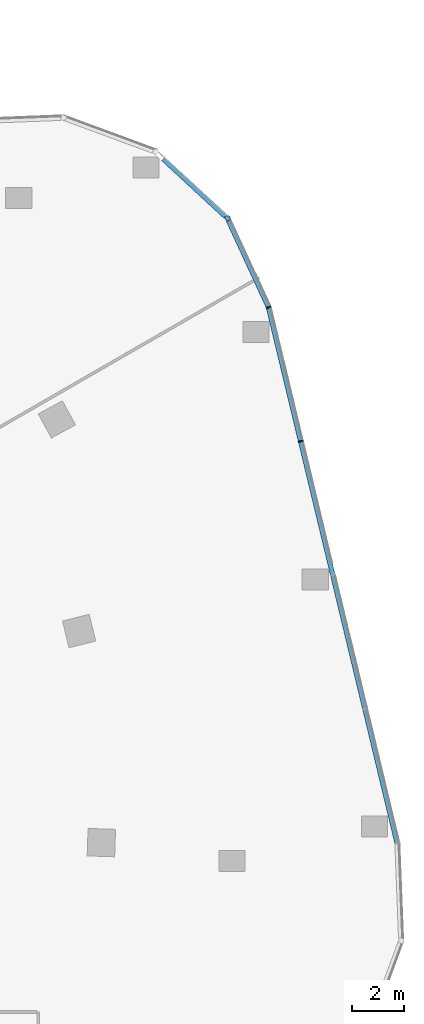
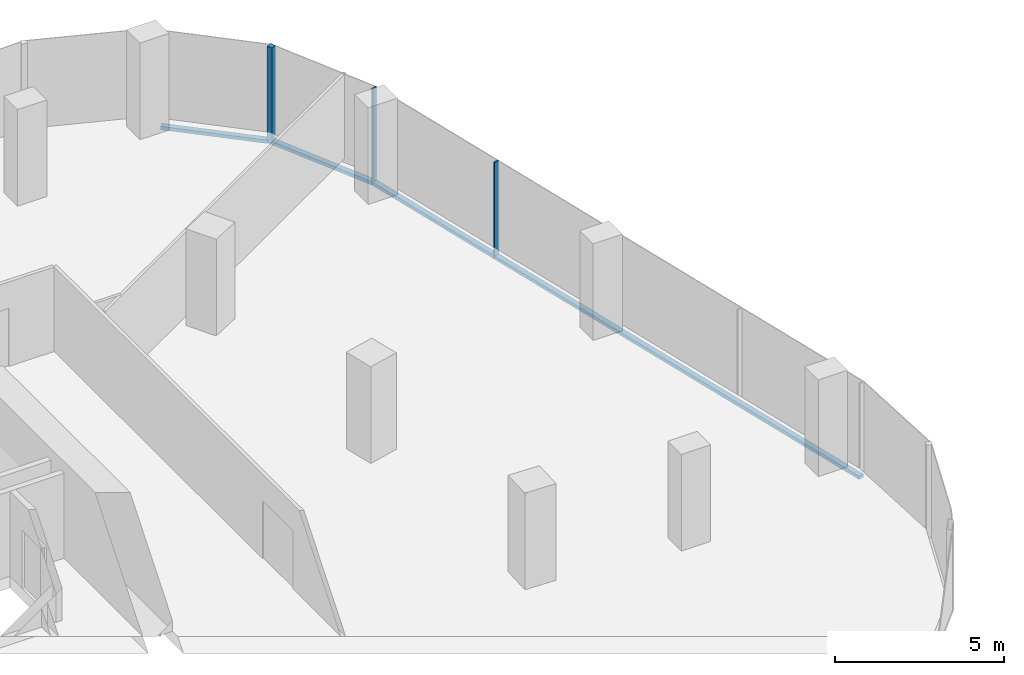
# One storey, part 11 of 25: 6 members, 3 elements without a shape of their own.
"""IFC4 building model written with IfcOpenShell, lengths in metres."""

from ifc_helpers import new_model, si_unit, direction, frame, origin, origin_2d, place, context, subcontext, project, spatial, rectangle, extrude, material, material_profile, profile_set, type_object, element, aggregate, save


model = new_model("IFC4")

# Units and contexts
model_context = context("Model", 3, precision=1e-05, world=origin(), true_north=direction((0.0, 1.0)))
body_context = subcontext(model_context, "Body", "Model", "MODEL_VIEW")
ifc_project = project(units=[si_unit("LENGTHUNIT", "METRE"), si_unit("AREAUNIT", "SQUARE_METRE"), si_unit("VOLUMEUNIT", "CUBIC_METRE"), si_unit("PLANEANGLEUNIT", "RADIAN"), si_unit("MASSUNIT", "GRAM", prefix="KILO")], contexts=[model_context])

# Site, building, storey
site_placement = place(None, origin())
site = spatial("IfcSite", under=ifc_project, at=site_placement, CompositionType="ELEMENT")
building_placement = place(site_placement, origin())
building = spatial("IfcBuilding", under=site, at=building_placement, Name="Orlundy Tower", CompositionType="ELEMENT")
storey_placement = place(building_placement, frame((0.0, 0.0, 217.5)))
storey = spatial("IfcBuildingStorey", under=building, at=storey_placement, Name="L57", CompositionType="ELEMENT", Elevation=217.5)

# Curtain wall, member
ifc_material_1 = material(Name="Aluminium bronze anodised", Category="aluminium")
curtain_wall_type = type_object("IfcCurtainWallType", Name="CW1 wall", PredefinedType="NOTDEFINED", material=ifc_material_1)
curtain_wall_1_placement = place(storey_placement, origin())
curtain_wall_1 = element("IfcCurtainWall", 1, at=curtain_wall_1_placement, inside=storey, type_object=curtain_wall_type, Name="CW1 run 010", PredefinedType="NOTDEFINED")
ifc_material_2 = material(Name="Aluminium bronze anodised", Category="aluminium")
ifc_material_profile_1 = material_profile(ifc_material_2, rectangle(XDim=0.179931640625, YDim=0.179931640625, at=origin_2d()), Name="CW1 corner post 180x180")
ifc_profile_set_1 = profile_set([ifc_material_profile_1], Name="Aluminium bronze anodised")
member_type_1 = type_object("IfcMemberType", Name="CW1 corner post 180x180", PredefinedType="MULLION", material=ifc_profile_set_1)
member_1_placement = place(storey_placement, frame((34.480224609375, 22.850830078125, -0.419921875), z_axis=(0.0, 0.0, 1.0), x_axis=(0.908219817192, 0.418493445182, 0.0)))
member_1 = element("IfcMember", 2, at=member_1_placement, type_object=member_type_1, Name="CW1 mullion 27", PredefinedType="MULLION", context=body_context, shape_type="SweptSolid", body=[
    extrude(rectangle(XDim=0.179931640625, YDim=0.179931640625, at=origin_2d()), origin(), (0.0, 0.0, 1.0), 3.5),
])

# Curtain wall, members
curtain_wall_2_placement = place(storey_placement, origin())
curtain_wall_2 = element("IfcCurtainWall", 3, at=curtain_wall_2_placement, inside=storey, type_object=curtain_wall_type, Name="CW1 run 011", PredefinedType="NOTDEFINED")
ifc_material_3 = material(Name="Aluminium bronze anodised", Category="aluminium")
ifc_material_profile_2 = material_profile(ifc_material_3, rectangle(XDim=0.179931640625, YDim=0.050048828125, at=origin_2d()), Name="CW1 mullion 50x180")
ifc_profile_set_2 = profile_set([ifc_material_profile_2], Name="Aluminium bronze anodised")
member_type_2 = type_object("IfcMemberType", Name="CW1 mullion 50x180", PredefinedType="MULLION", material=ifc_profile_set_2)
member_2_placement = place(storey_placement, frame((36.04248046875, 19.460693359375, -0.419921875), z_axis=(0.0, 0.0, 1.0), x_axis=(0.944831550554, 0.327556622704, 0.0)))
member_2 = element("IfcMember", 4, at=member_2_placement, type_object=member_type_2, Name="CW1 mullion 28", PredefinedType="MULLION", context=body_context, shape_type="SweptSolid", body=[
    extrude(rectangle(XDim=0.179931640625, YDim=0.050048828125, at=origin_2d()), origin(), (0.0, 0.0, 1.0), 3.5),
])
member_3_placement = place(storey_placement, frame((37.270263671875, 14.346923828125, -0.419921875), z_axis=(0.0, 0.0, 1.0), x_axis=(0.972363523859, 0.233472005748, 0.0)))
member_3 = element("IfcMember", 5, at=member_3_placement, type_object=member_type_2, Name="CW1 mullion 29", PredefinedType="MULLION", context=body_context, shape_type="SweptSolid", body=[
    extrude(rectangle(XDim=0.179931640625, YDim=0.050048828125, at=origin_2d()), origin(), (0.0, 0.0, 1.0), 3.5),
])

# Curtain wall, member
curtain_wall_3_placement = place(storey_placement, origin())
curtain_wall_3 = element("IfcCurtainWall", 6, at=curtain_wall_3_placement, inside=storey, type_object=curtain_wall_type, Name="CW1 run 09", PredefinedType="NOTDEFINED")
ifc_material_4 = material(Name="Aluminium bronze anodised", Category="aluminium")
ifc_material_profile_3 = material_profile(ifc_material_4, rectangle(XDim=0.179931640625, YDim=0.1201171875, at=origin_2d()), Name="CW1 transom 180x120")
ifc_profile_set_3 = profile_set([ifc_material_profile_3], Name="Aluminium bronze anodised")
member_type_3 = type_object("IfcMemberType", Name="CW1 transom 180x120", PredefinedType="USERDEFINED", material=ifc_profile_set_3)
member_4_placement = place(storey_placement, frame((32.02001953125, 25.125, -0.360107421875), z_axis=(0.734331359819, -0.678791171117, 0.0), x_axis=(0.678791171117, 0.734331359819, 0.0)))
member_4 = element("IfcMember", 7, at=member_4_placement, type_object=member_type_3, Name="CW1 transom", ObjectType="TRANSOM", PredefinedType="USERDEFINED", context=body_context, shape_type="SweptSolid", body=[
    extrude(rectangle(XDim=0.179931640625, YDim=0.1201171875, at=origin_2d()), origin(), (0.0, 0.0, 1.0), 3.2529296875),
])
aggregate(curtain_wall_3, [member_4])

# Member
member_5_placement = place(storey_placement, frame((34.517822265625, 22.769287109375, -0.360107421875), z_axis=(0.418510361894, -0.908212022045, 0.0), x_axis=(0.908212022045, 0.418510361894, 0.0)))
member_5 = element("IfcMember", 8, at=member_5_placement, type_object=member_type_3, Name="CW1 transom", ObjectType="TRANSOM", PredefinedType="USERDEFINED", context=body_context, shape_type="SweptSolid", body=[
    extrude(rectangle(XDim=0.179931640625, YDim=0.1201171875, at=origin_2d()), origin(), (0.0, 0.0, 1.0), 3.617919921875),
])

aggregate(curtain_wall_1, [member_1, member_5])

member_6_placement = place(storey_placement, frame((36.04833984375, 19.436279296875, -0.360107421875), z_axis=(0.233464990148, -0.972365208332, 0.0), x_axis=(0.972365208332, 0.233464990148, 0.0)))
member_6 = element("IfcMember", 9, at=member_6_placement, type_object=member_type_3, Name="CW1 transom", ObjectType="TRANSOM", PredefinedType="USERDEFINED", context=body_context, shape_type="SweptSolid", body=[
    extrude(rectangle(XDim=0.179931640625, YDim=0.1201171875, at=origin_2d()), origin(), (0.0, 0.0, 1.0), 20.9677734375),
])

aggregate(curtain_wall_2, [member_2, member_3, member_6])

save(model, "model.ifc")
